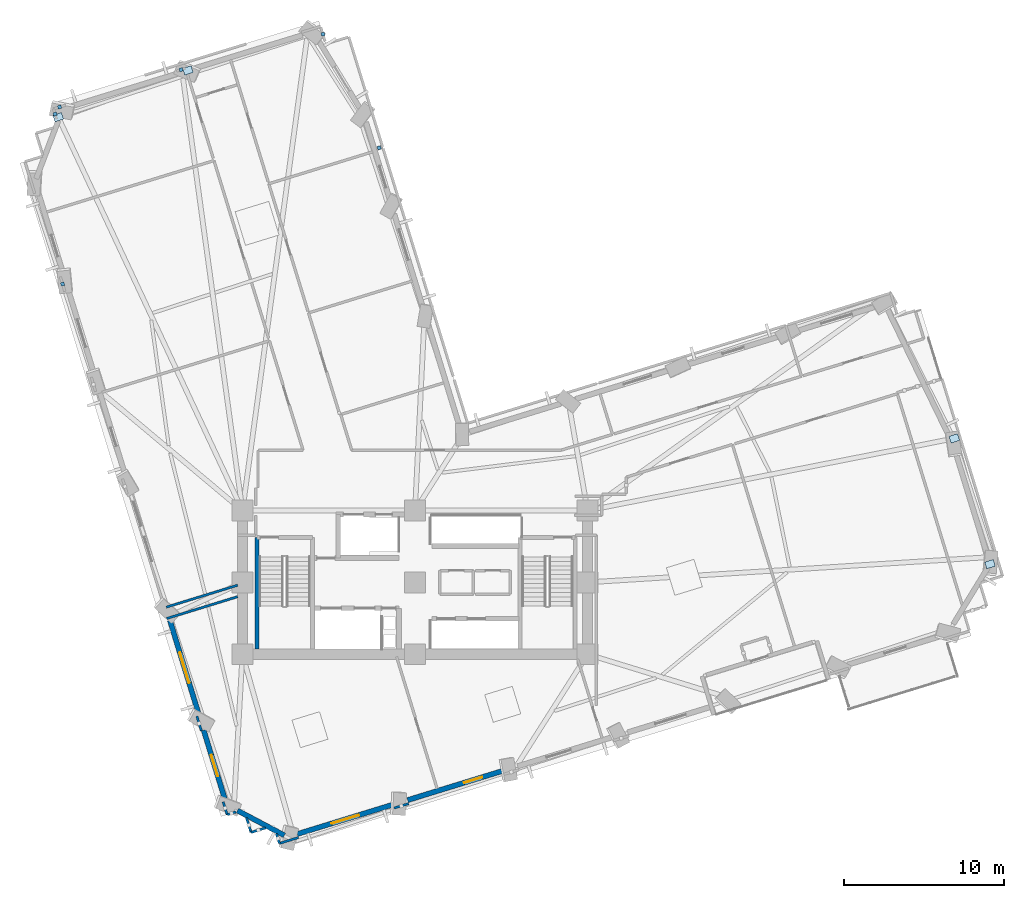
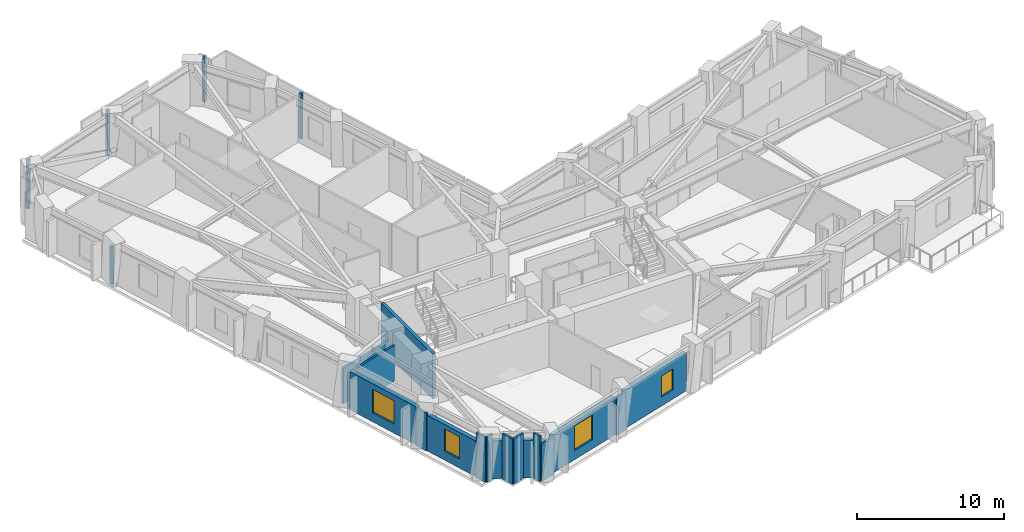
# One storey, part 6 of 14: 16 walls, 10 plates, 4 windows, 4 openings.
"""IFC4 building model written with IfcOpenShell, lengths in metres."""

from ifc_helpers import new_model, si_unit, direction, frame, frame_2d, origin, origin_2d, place, context, subcontext, project, spatial, rectangle, extrude, material, layer, layer_set, type_object, element, fill, save


model = new_model("IFC4")

# Units and contexts
model_context = context("Model", 3, precision=1e-05, world=origin(), true_north=direction((0.0, 1.0)))
body_context = subcontext(model_context, "Body", "Model", "MODEL_VIEW")
ifc_project = project(units=[si_unit("LENGTHUNIT", "METRE"), si_unit("AREAUNIT", "SQUARE_METRE"), si_unit("VOLUMEUNIT", "CUBIC_METRE"), si_unit("PLANEANGLEUNIT", "RADIAN"), si_unit("MASSUNIT", "GRAM", prefix="KILO")], contexts=[model_context])

# Site, building, storey
site_placement = place(None, origin())
site = spatial("IfcSite", under=ifc_project, at=site_placement, CompositionType="ELEMENT")
building_placement = place(site_placement, origin())
building = spatial("IfcBuilding", under=site, at=building_placement, Name="Gaonmaruhae Medical Tower", CompositionType="ELEMENT")
storey_placement = place(building_placement, frame((0.0, 0.0, 96.39990234375)))
storey = spatial("IfcBuildingStorey", under=building, at=storey_placement, Name="L22", CompositionType="ELEMENT", Elevation=96.39990234375)

# Plates
ifc_material_1 = material(Name="Steel HSA650 (650 MPa)", Category="steel")
ifc_layer_1 = layer(ifc_material_1, 0.028076171875)
ifc_layer_set_1 = layer_set([ifc_layer_1], Name="Steel HSA650 (650 MPa)")
plate_type_1 = type_object("IfcPlateType", Name="GP-02 Tube Brace End Cap Gusset Plate", PredefinedType="USERDEFINED", material=ifc_layer_set_1)
for number, where, z_axis, x_axis, name in (
    (1, (60.791259765625, 13.443359375, 0.23583984375), (0.0, 0.0, 1.0), (0.955793014798, 0.294040325232, 0.0), "L22 Gusset Cap Plate PLT-L22-PBR-E01A"),
    (2, (58.55908203125, 21.311767578125, 3.51611328125), (0.0, 0.0, 1.0), (0.950786485994, 0.309846829984, 0.0), "L22 Gusset Cap Plate PLT-L22-PBR-E01B"),
    (3, (10.5849609375, 44.3466796875, 0.23583984375), (0.0, 0.0, 1.0), (0.955793014798, 0.294040325232, 0.0), "L22 Gusset Cap Plate PLT-L22-PBR-N02A"),
    (4, (2.4677734375, 41.421875, 3.51611328125), (0.0, 0.0, 1.0), (0.950786485994, 0.309846829984, 0.0), "L22 Gusset Cap Plate PLT-L22-PBR-N02B"),
):
    element("IfcPlate", number, at=place(storey_placement, frame(where, z_axis=z_axis, x_axis=x_axis)), inside=storey, type_object=plate_type_1, Name=name, ObjectType="GUSSET_PLATE", PredefinedType="USERDEFINED", context=body_context, shape_type="SweptSolid", body=[
        extrude(rectangle(XDim=0.56005859375, YDim=0.43994140625, at=origin_2d()), origin(), (0.0, 0.0, 1.0), 0.028076171875),
    ])
ifc_material_2 = material(Name="Anodised aluminium 6063-T6", Category="aluminium")
ifc_layer_2 = layer(ifc_material_2, 0.011962890625)
ifc_layer_set_2 = layer_set([ifc_layer_2], Name="Anodised aluminium 6063-T6")
plate_type_2 = type_object("IfcPlateType", Name="PP-01 Interior Partition Corner Stiffener Plate", PredefinedType="SHEET", material=ifc_layer_set_2)
plate_1_placement = place(storey_placement, frame((2.741455078125, 30.970458984375, 0.0), z_axis=(0.0, 0.0, 1.0), x_axis=(-0.294307221525, 0.955710865983, 0.0)))
element("IfcPlate", 5, at=plate_1_placement, inside=storey, type_object=plate_type_2, Name="L22 Partition Corner Stiffener Plate PLT-L22-JGP-PW050", PredefinedType="SHEET", context=body_context, shape_type="SweptSolid", body=[
    extrude(rectangle(XDim=0.219970703125, YDim=0.219970703125, at=origin_2d()), origin(), (0.0, 0.0, 1.0), 3.1650390625),
])
plate_2_placement = place(storey_placement, frame((2.2705078125, 41.614990234375, 0.0), z_axis=(0.0, 0.0, 1.0), x_axis=(-0.293356298869, 0.956003180912, 0.0)))
element("IfcPlate", 6, at=plate_2_placement, inside=storey, type_object=plate_type_2, Name="L22 Partition Corner Stiffener Plate PLT-L22-JGP-PW052", PredefinedType="SHEET", context=body_context, shape_type="SweptSolid", body=[
    extrude(rectangle(XDim=0.219970703125, YDim=0.219970703125, at=origin_2d()), origin(), (0.0, 0.0, 1.0), 2.965087890625),
])
for number, where, z_axis, x_axis, name in (
    (7, (2.551025390625, 42.052490234375, 0.0), (0.0, 0.0, 1.0), (0.955859705829, 0.29382345511, 0.0), "L22 Partition Corner Stiffener Plate PLT-L22-JGP-PW053"),
    (8, (10.158447265625, 44.3935546875, 0.0), (0.0, 0.0, 1.0), (0.955592646493, 0.294690844732, 0.0), "L22 Partition Corner Stiffener Plate PLT-L22-JGP-PW054"),
    (9, (22.555908203125, 39.50244140625, 0.0), (0.0, 0.0, 1.0), (-0.955839190753, -0.29389018599, 0.0), "L22 Partition Corner Stiffener Plate PLT-L22-JGP-PW082"),
    (10, (19.0419921875, 46.614990234375, 0.0), (0.0, 0.0, 1.0), (0.294540736955, -0.955638924633, 0.0), "L22 Partition Corner Stiffener Plate PLT-L22-JGP-PW085"),
):
    element("IfcPlate", number, at=place(storey_placement, frame(where, z_axis=z_axis, x_axis=x_axis)), inside=storey, type_object=plate_type_2, Name=name, PredefinedType="SHEET", context=body_context, shape_type="SweptSolid", body=[
        extrude(rectangle(XDim=0.219970703125, YDim=0.219970703125, at=origin_2d()), origin(), (0.0, 0.0, 1.0), 3.780029296875),
    ])

# Wall, opening, window
ifc_material_3 = material(Name="Precast concrete C45/55", Category="concrete")
ifc_layer_3 = layer(ifc_material_3, 0.320068359375)
ifc_layer_set_3 = layer_set([ifc_layer_3], Name="Precast concrete C45/55")
wall_type_1 = type_object("IfcWallType", Name="EW-320 Lower Precast Masonry-Frame Facade Wall", PredefinedType="SOLIDWALL", material=ifc_layer_set_3)
wall_1_placement = place(storey_placement, frame((23.425537109375, -1.609130859375, 0.0), z_axis=(0.0, 0.0, 1.0), x_axis=(-0.955789110758, -0.294053015213, 0.0)))
wall_1 = element("IfcWall", 11, at=wall_1_placement, inside=storey, type_object=wall_type_1, Name="L22 Precast Masonry-Frame Wall S01-S02", PredefinedType="SOLIDWALL", context=body_context, shape_type="SweptSolid", body=[
    extrude(rectangle(XDim=6.27001953125, YDim=0.320068359375, at=frame_2d((3.135009765625, 0.0))), origin(), (0.0, 0.0, 1.0), 3.1650390625),
])
opening_1_placement = place(wall_1_placement, frame((2.2294921875, 0.0, 0.75)))
opening_1 = element("IfcOpeningElement", 12, at=opening_1_placement, cuts=wall_1, Name="Opening WN-04", PredefinedType="OPENING", context=body_context, shape_type="SweptSolid", body=[
    extrude(rectangle(XDim=1.800048828125, YDim=2.050048828125, at=frame_2d((0.89990234375, 1.02490234375))), frame((0.0, 0.169921875, 0.0), z_axis=(0.0, -1.0, 0.0), x_axis=(1.0, 0.0, 0.0)), (0.0, 0.0, 1.0), 0.340087890625),
])
ifc_material_4 = material(Name="Anodised aluminium and Low-E double glazing", Category="aluminium")
window_type_1 = type_object("IfcWindowType", Name="WN-04 Clinic & Consult Punched Window 1800x2050", PartitioningType="SINGLE_PANEL", PredefinedType="WINDOW", material=ifc_material_4)
window_1_placement = place(opening_1_placement, origin())
window_1 = element("IfcWindow", 13, at=window_1_placement, inside=storey, type_object=window_type_1, Name="L22 Modular Facade Window S01", OverallHeight=2.050048828125, OverallWidth=1.800048828125, PartitioningType="SINGLE_PANEL", PredefinedType="WINDOW", context=body_context, shape_type="SweptSolid", body=[
    extrude(rectangle(XDim=1.800048828125, YDim=2.050048828125, at=frame_2d((0.89990234375, 1.02490234375))), frame((0.0, 0.030029296875, 0.0), z_axis=(0.0, -1.0, 0.0), x_axis=(1.0, 0.0, 0.0)), (0.0, 0.0, 1.0), 0.06005859375),
])
fill(opening_1, window_1)

wall_2_placement = place(storey_placement, frame((30.293701171875, 0.503662109375, 0.0), z_axis=(0.0, 0.0, 1.0), x_axis=(-0.955799327756, -0.294019803859, 0.0)))
wall_2 = element("IfcWall", 14, at=wall_2_placement, inside=storey, type_object=wall_type_1, Name="L22 Precast Masonry-Frame Wall S02-S03", PredefinedType="SOLIDWALL", context=body_context, shape_type="SweptSolid", body=[
    extrude(rectangle(XDim=6.234375, YDim=0.320068359375, at=frame_2d((3.1171875, 0.0))), origin(), (0.0, 0.0, 1.0), 3.1650390625),
])
opening_2_placement = place(wall_2_placement, frame((1.344482421875, 0.0, 0.75)))
opening_2 = element("IfcOpeningElement", 15, at=opening_2_placement, cuts=wall_2, Name="Opening WN-05", PredefinedType="OPENING", context=body_context, shape_type="SweptSolid", body=[
    extrude(rectangle(XDim=1.199951171875, YDim=1.75, at=frame_2d((0.60009765625, 0.875))), frame((0.0, 0.169921875, 0.0), z_axis=(0.0, -1.0, 0.0), x_axis=(1.0, 0.0, 0.0)), (0.0, 0.0, 1.0), 0.340087890625),
])
window_type_2 = type_object("IfcWindowType", Name="WN-05 Support & Staff Punched Window 1200x1750", PartitioningType="SINGLE_PANEL", PredefinedType="WINDOW", material=ifc_material_4)
window_2_placement = place(opening_2_placement, origin())
window_2 = element("IfcWindow", 16, at=window_2_placement, inside=storey, type_object=window_type_2, Name="L22 Modular Facade Window S02", OverallHeight=1.75, OverallWidth=1.199951171875, PartitioningType="SINGLE_PANEL", PredefinedType="WINDOW", context=body_context, shape_type="SweptSolid", body=[
    extrude(rectangle(XDim=1.199951171875, YDim=1.75, at=frame_2d((0.60009765625, 0.875))), frame((0.0, 0.030029296875, 0.0), z_axis=(0.0, -1.0, 0.0), x_axis=(1.0, 0.0, 0.0)), (0.0, 0.0, 1.0), 0.06005859375),
])
fill(opening_2, window_2)

wall_3_placement = place(storey_placement, frame((11.287109375, 3.974609375, 0.0), z_axis=(0.0, 0.0, 1.0), x_axis=(-0.294052769951, 0.955789186214, 0.0)))
wall_3 = element("IfcWall", 17, at=wall_3_placement, inside=storey, type_object=wall_type_1, Name="L22 Precast Masonry-Frame Wall W05-W06", PredefinedType="SOLIDWALL", context=body_context, shape_type="SweptSolid", body=[
    extrude(rectangle(XDim=6.2236328125, YDim=0.320068359375, at=frame_2d((3.11181640625, 0.0))), origin(), (0.0, 0.0, 1.0), 3.1650390625),
])
opening_3_placement = place(wall_3_placement, frame((2.1142578125, 0.0, 0.75)))
opening_3 = element("IfcOpeningElement", 18, at=opening_3_placement, cuts=wall_3, Name="Opening WN-02", PredefinedType="OPENING", context=body_context, shape_type="SweptSolid", body=[
    extrude(rectangle(XDim=2.0, YDim=1.949951171875, at=frame_2d((1.0, 0.97509765625))), frame((0.0, 0.169921875, 0.0), z_axis=(0.0, -1.0, 0.0), x_axis=(1.0, 0.0, 0.0)), (0.0, 0.0, 1.0), 0.340087890625),
])
window_type_3 = type_object("IfcWindowType", Name="WN-02 Double-Bed Ward Punched Window 2000x1950", PartitioningType="SINGLE_PANEL", PredefinedType="WINDOW", material=ifc_material_4)
window_3_placement = place(opening_3_placement, origin())
window_3 = element("IfcWindow", 19, at=window_3_placement, inside=storey, type_object=window_type_3, Name="L22 Modular Facade Window W05", OverallHeight=1.949951171875, OverallWidth=2.0, PartitioningType="SINGLE_PANEL", PredefinedType="WINDOW", context=body_context, shape_type="SweptSolid", body=[
    extrude(rectangle(XDim=2.0, YDim=1.949951171875, at=frame_2d((1.0, 0.97509765625))), frame((0.0, 0.030029296875, 0.0), z_axis=(0.0, -1.0, 0.0), x_axis=(1.0, 0.0, 0.0)), (0.0, 0.0, 1.0), 0.06005859375),
])
fill(opening_3, window_3)

wall_4_placement = place(storey_placement, frame((12.9375, -1.390380859375, 0.0), z_axis=(0.0, 0.0, 1.0), x_axis=(-0.294015712132, 0.95580058643, 0.0)))
wall_4 = element("IfcWall", 20, at=wall_4_placement, inside=storey, type_object=wall_type_1, Name="L22 Precast Masonry-Frame Wall W06-W07", PredefinedType="SOLIDWALL", context=body_context, shape_type="SweptSolid", body=[
    extrude(rectangle(XDim=4.6474609375, YDim=0.320068359375, at=frame_2d((2.32373046875, 0.0))), origin(), (0.0, 0.0, 1.0), 2.965087890625),
])
opening_4_placement = place(wall_4_placement, frame((1.627197265625, 0.0, 0.75)))
opening_4 = element("IfcOpeningElement", 21, at=opening_4_placement, cuts=wall_4, Name="Opening WN-03", PredefinedType="OPENING", context=body_context, shape_type="SweptSolid", body=[
    extrude(rectangle(XDim=1.39990234375, YDim=1.85009765625, at=frame_2d((0.699951171875, 0.925048828125))), frame((0.0, 0.169921875, 0.0), z_axis=(0.0, -1.0, 0.0), x_axis=(1.0, 0.0, 0.0)), (0.0, 0.0, 1.0), 0.340087890625),
])
window_type_4 = type_object("IfcWindowType", Name="WN-03 Isolation Ward Punched Window 1400x1850", PartitioningType="SINGLE_PANEL", PredefinedType="WINDOW", material=ifc_material_4)
window_4_placement = place(opening_4_placement, origin())
window_4 = element("IfcWindow", 22, at=window_4_placement, inside=storey, type_object=window_type_4, Name="L22 Modular Facade Window W06", OverallHeight=1.85009765625, OverallWidth=1.39990234375, PartitioningType="SINGLE_PANEL", PredefinedType="WINDOW", context=body_context, shape_type="SweptSolid", body=[
    extrude(rectangle(XDim=1.39990234375, YDim=1.85009765625, at=frame_2d((0.699951171875, 0.925048828125))), frame((0.0, 0.030029296875, 0.0), z_axis=(0.0, -1.0, 0.0), x_axis=(1.0, 0.0, 0.0)), (0.0, 0.0, 1.0), 0.06005859375),
])
fill(opening_4, window_4)

# Walls
wall_5_placement = place(storey_placement, frame((16.62451171875, -3.536865234375, 0.0), z_axis=(0.0, 0.0, 1.0), x_axis=(-0.883766470222, 0.467928227521, 0.0)))
element("IfcWall", 23, at=wall_5_placement, inside=storey, type_object=wall_type_1, Name="L22 Precast Masonry-Frame Wall W07-S01", PredefinedType="SOLIDWALL", context=body_context, shape_type="SweptSolid", body=[
    extrude(rectangle(XDim=3.322998046875, YDim=0.320068359375, at=frame_2d((1.66162109375, 0.0))), origin(), (0.0, 0.0, 1.0), 3.1650390625),
])
ifc_material_5 = material(Name="Gypsum board partition", Category="gypsum")
ifc_layer_4 = layer(ifc_material_5, 0.14990234375)
ifc_layer_set_4 = layer_set([ifc_layer_4], Name="Gypsum board partition")
wall_type_2 = type_object("IfcWallType", Name="PW-150 Rated Clinical Corridor Partition", PredefinedType="PARTITIONING", material=ifc_layer_set_4)
wall_6_placement = place(storey_placement, frame((9.263916015625, 10.0419921875, 0.0), z_axis=(0.0, 0.0, 1.0), x_axis=(0.955775596646, 0.294096937856, 0.0)))
element("IfcWall", 24, at=wall_6_placement, inside=storey, type_object=wall_type_2, Name="L22 Interior Partition L22-SUP01-8", PredefinedType="PARTITIONING", context=body_context, shape_type="SweptSolid", body=[
    extrude(rectangle(XDim=4.641357421875, YDim=0.14990234375, at=frame_2d((2.32080078125, 0.0))), origin(), (0.0, 0.0, 1.0), 2.965087890625),
])
wall_7_placement = place(storey_placement, frame((24.402099609375, -1.549072265625, 0.0), z_axis=(0.0, 0.0, 1.0), x_axis=(-0.955695738602, -0.294356340542, 0.0)))
element("IfcWall", 25, at=wall_7_placement, inside=storey, type_object=wall_type_2, Name="L22 Interior Partition L22-SUP01-10", PredefinedType="PARTITIONING", context=body_context, shape_type="SweptSolid", body=[
    extrude(rectangle(XDim=0.951416015625, YDim=0.14990234375, at=frame_2d((0.4755859375, 0.0))), origin(), (0.0, 0.0, 1.0), 3.1650390625),
])
wall_8_placement = place(storey_placement, frame((17.5, -3.672119140625, 0.0), z_axis=(0.0, 0.0, 1.0), x_axis=(-0.955698088537, -0.294348710829, 0.0)))
element("IfcWall", 26, at=wall_8_placement, inside=storey, type_object=wall_type_2, Name="L22 Interior Partition L22-SUP01-11", PredefinedType="PARTITIONING", context=body_context, shape_type="SweptSolid", body=[
    extrude(rectangle(XDim=1.239990234375, YDim=0.14990234375, at=frame_2d((0.6201171875, 0.0))), origin(), (0.0, 0.0, 1.0), 3.1650390625),
])
wall_9_placement = place(storey_placement, frame((16.31494140625, -4.037109375, 0.0), z_axis=(0.0, 0.0, 1.0), x_axis=(-0.294032181566, 0.955795520079, 0.0)))
element("IfcWall", 27, at=wall_9_placement, inside=storey, type_object=wall_type_2, Name="L22 Interior Partition L22-SUP01-12", PredefinedType="PARTITIONING", context=body_context, shape_type="SweptSolid", body=[
    extrude(rectangle(XDim=0.639404296875, YDim=0.14990234375, at=frame_2d((0.31982421875, 0.0))), origin(), (0.0, 0.0, 1.0), 3.780029296875),
])
wall_10_placement = place(storey_placement, frame((15.450927734375, -3.068115234375, 0.0), z_axis=(0.0, 0.0, 1.0), x_axis=(-0.955740447042, -0.294211145078, 0.0)))
element("IfcWall", 28, at=wall_10_placement, inside=storey, type_object=wall_type_2, Name="L22 Interior Partition L22-SUP01-13", PredefinedType="PARTITIONING", context=body_context, shape_type="SweptSolid", body=[
    extrude(rectangle(XDim=0.95849609375, YDim=0.14990234375, at=frame_2d((0.479248046875, 0.0))), origin(), (0.0, 0.0, 1.0), 3.780029296875),
])
wall_11_placement = place(storey_placement, frame((14.534912109375, -3.35009765625, 0.0), z_axis=(0.0, 0.0, 1.0), x_axis=(-0.295141442037, 0.955453572495, 0.0)))
element("IfcWall", 29, at=wall_11_placement, inside=storey, type_object=wall_type_2, Name="L22 Interior Partition L22-SUP01-14", PredefinedType="PARTITIONING", context=body_context, shape_type="SweptSolid", body=[
    extrude(rectangle(XDim=0.958740234375, YDim=0.14990234375, at=frame_2d((0.4794921875, 0.0))), origin(), (0.0, 0.0, 1.0), 3.780029296875),
])
wall_12_placement = place(storey_placement, frame((13.587890625, -2.072021484375, 0.0), z_axis=(0.0, 0.0, 1.0), x_axis=(-0.955779008722, -0.294085848838, 0.0)))
element("IfcWall", 30, at=wall_12_placement, inside=storey, type_object=wall_type_2, Name="L22 Interior Partition L22-SUP01-15", PredefinedType="PARTITIONING", context=body_context, shape_type="SweptSolid", body=[
    extrude(rectangle(XDim=0.571044921875, YDim=0.14990234375, at=frame_2d((0.28564453125, 0.0))), origin(), (0.0, 0.0, 1.0), 3.780029296875),
])
wall_13_placement = place(storey_placement, frame((13.0419921875, -2.239990234375, 0.0), z_axis=(0.0, 0.0, 1.0), x_axis=(-0.294167230491, 0.95575396442, 0.0)))
element("IfcWall", 31, at=wall_13_placement, inside=storey, type_object=wall_type_2, Name="L22 Interior Partition L22-SUP01-16", PredefinedType="PARTITIONING", context=body_context, shape_type="SweptSolid", body=[
    extrude(rectangle(XDim=0.84326171875, YDim=0.14990234375, at=frame_2d((0.421630859375, 0.0))), origin(), (0.0, 0.0, 1.0), 3.780029296875),
])
wall_14_placement = place(storey_placement, frame((11.427978515625, 3.008056640625, 0.0), z_axis=(0.0, 0.0, 1.0), x_axis=(-0.294068080736, 0.955784475649, 0.0)))
element("IfcWall", 32, at=wall_14_placement, inside=storey, type_object=wall_type_2, Name="L22 Interior Partition L22-SUP01-17", PredefinedType="PARTITIONING", context=body_context, shape_type="SweptSolid", body=[
    extrude(rectangle(XDim=0.965576171875, YDim=0.14990234375, at=frame_2d((0.48291015625, 0.0))), origin(), (0.0, 0.0, 1.0), 3.1650390625),
])
wall_15_placement = place(storey_placement, frame((13.699951171875, 12.123046875, 0.0), z_axis=(0.0, 0.0, 1.0), x_axis=(-0.955806131427, -0.29399768558, 0.0)))
element("IfcWall", 33, at=wall_15_placement, inside=storey, type_object=wall_type_2, Name="L22 Interior Partition L22-WOF05-42", PredefinedType="PARTITIONING", context=body_context, shape_type="SweptSolid", body=[
    extrude(rectangle(XDim=4.670166015625, YDim=0.14990234375, at=frame_2d((2.3349609375, 0.0))), origin(), (0.0, 0.0, 1.0), 2.965087890625),
])
ifc_material_6 = material(Name="Concrete C50/60", Category="concrete")
ifc_layer_5 = layer(ifc_material_6, 0.239990234375)
ifc_layer_set_5 = layer_set([ifc_layer_5], Name="Concrete C50/60")
wall_type_3 = type_object("IfcWallType", Name="SW-240 Dogleg Stair Tight Shaft Wall", PredefinedType="SOLIDWALL", material=ifc_layer_set_5)
wall_16_placement = place(storey_placement, frame((14.919921875, 8.125, 0.0), z_axis=(0.0, 0.0, 1.0), x_axis=(0.0, 1.0, 0.0)))
element("IfcWall", 34, at=wall_16_placement, inside=storey, type_object=wall_type_3, Name="L22 ST-01 Stair Shaft Wall SHW-ST-01-W", PredefinedType="SOLIDWALL", context=body_context, shape_type="SweptSolid", body=[
    extrude(rectangle(XDim=6.9951171875, YDim=0.239990234375, at=frame_2d((3.49755859375, 0.0))), origin(), (0.0, 0.0, 1.0), 3.780029296875),
])

save(model, "model.ifc")
